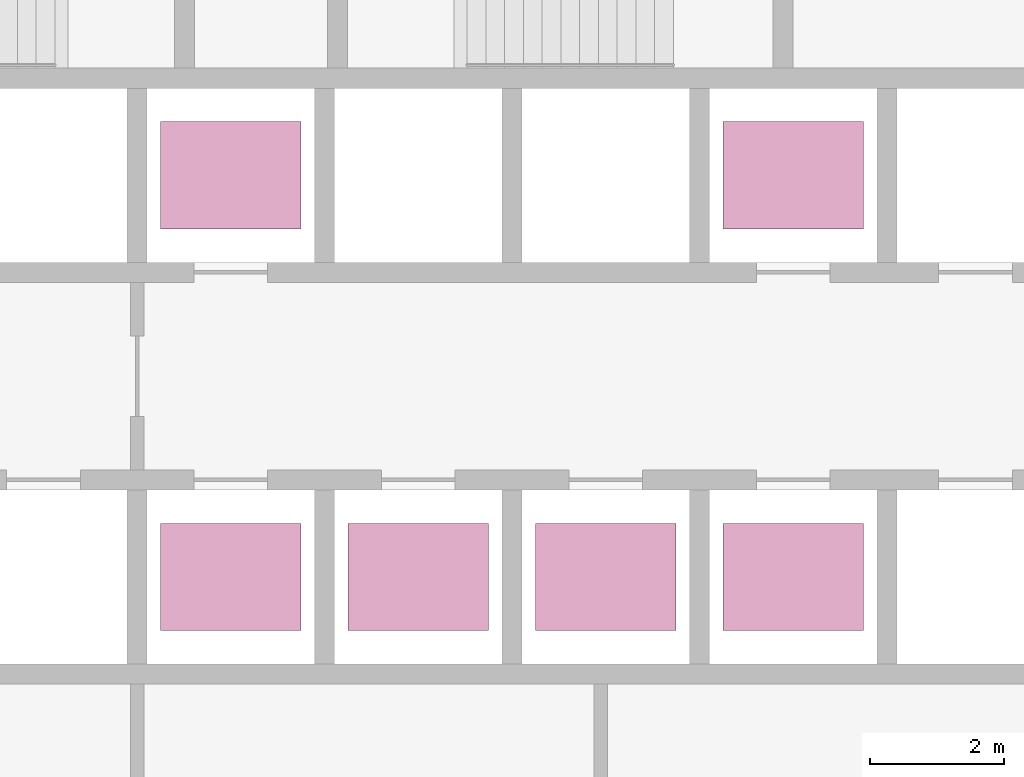
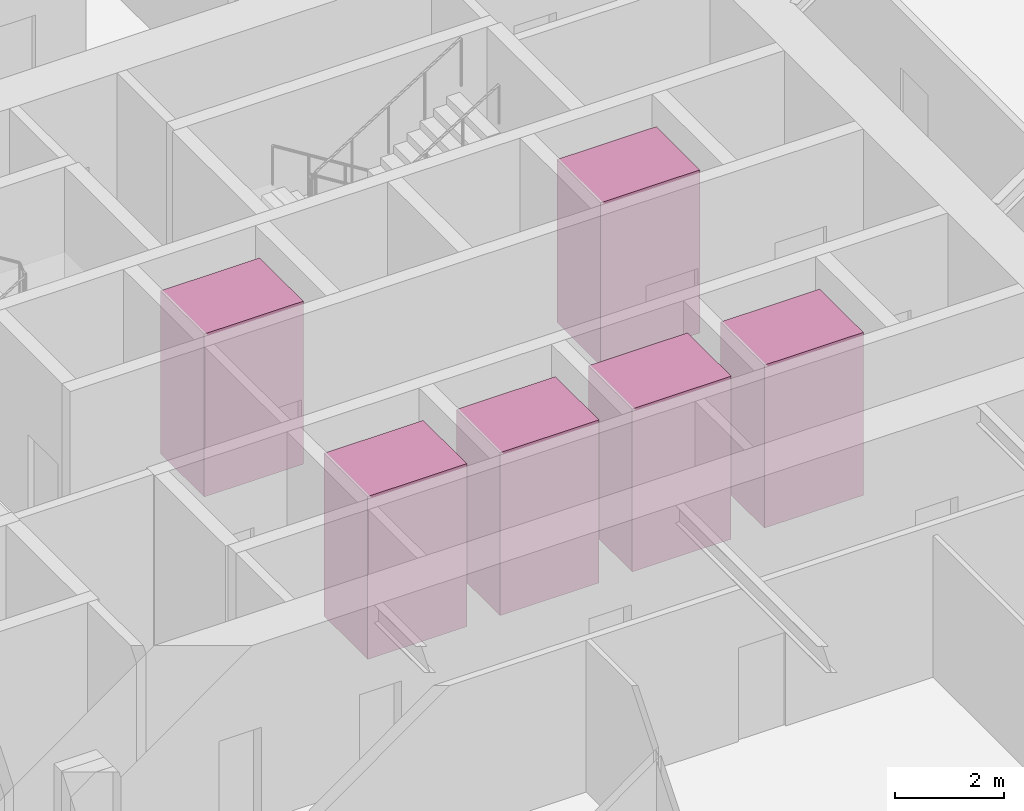
# One storey, part 25 of 26: 6 transport elements.
"""IFC4 building model written with IfcOpenShell, lengths in metres."""

from ifc_helpers import new_model, si_unit, direction, frame, origin, origin_2d, place, context, subcontext, project, spatial, rectangle, extrude, material, type_object, element, save


model = new_model("IFC4")

# Units and contexts
model_context = context("Model", 3, precision=1e-05, world=origin(), true_north=direction((0.0, 1.0)))
body_context = subcontext(model_context, "Body", "Model", "MODEL_VIEW")
ifc_project = project(units=[si_unit("LENGTHUNIT", "METRE"), si_unit("AREAUNIT", "SQUARE_METRE"), si_unit("VOLUMEUNIT", "CUBIC_METRE"), si_unit("PLANEANGLEUNIT", "RADIAN"), si_unit("MASSUNIT", "GRAM", prefix="KILO")], contexts=[model_context])

# Site, building, storey
site_placement = place(None, origin())
site = spatial("IfcSite", under=ifc_project, at=site_placement, CompositionType="ELEMENT")
building_placement = place(site_placement, origin())
building = spatial("IfcBuilding", under=site, at=building_placement, Name="Firuza Gate Tower and Library", CompositionType="ELEMENT")
storey_placement = place(building_placement, frame((0.0, 0.0, 52.60009765625)))
storey = spatial("IfcBuildingStorey", under=building, at=storey_placement, Name="L11", CompositionType="ELEMENT", Elevation=52.60009765625)

# Transport elements
ifc_material = material(Name="Stainless steel and glass", Category="steel")
transport_element_type = type_object("IfcTransportElementType", Name="Low-rise lift car 2100x1600", PredefinedType="ELEVATOR", material=ifc_material)
for number, where, z_axis, x_axis, name in (
    (1, (74.64990234375, 70.300048828125, 0.0), (0.0, 0.0, 1.0), (1.0, 0.0, 0.0), "Low-rise lift LR1"),
    (2, (77.449951171875, 70.300048828125, 0.0), (0.0, 0.0, 1.0), (1.0, 0.0, 0.0), "Low-rise lift LR2"),
    (3, (80.25, 70.300048828125, 0.0), (0.0, 0.0, 1.0), (1.0, 0.0, 0.0), "Low-rise lift LR3"),
    (4, (74.64990234375, 76.300048828125, 0.0), (0.0, 0.0, 1.0), (1.0, 0.0, 0.0), "Low-rise lift LR4"),
    (5, (83.050048828125, 70.300048828125, 0.0), (0.0, 0.0, 1.0), (1.0, 0.0, 0.0), "Low-rise lift LR5"),
    (6, (83.050048828125, 76.300048828125, 0.0), (0.0, 0.0, 1.0), (1.0, 0.0, 0.0), "Low-rise lift LR6"),
):
    element("IfcTransportElement", number, at=place(storey_placement, frame(where, z_axis=z_axis, x_axis=x_axis)), inside=storey, type_object=transport_element_type, Name=name, PredefinedType="ELEVATOR", context=body_context, shape_type="SweptSolid", body=[
        extrude(rectangle(XDim=2.10009765625, YDim=1.60009765625, at=origin_2d()), origin(), (0.0, 0.0, 1.0), 3.64990234375),
    ])

save(model, "model.ifc")
